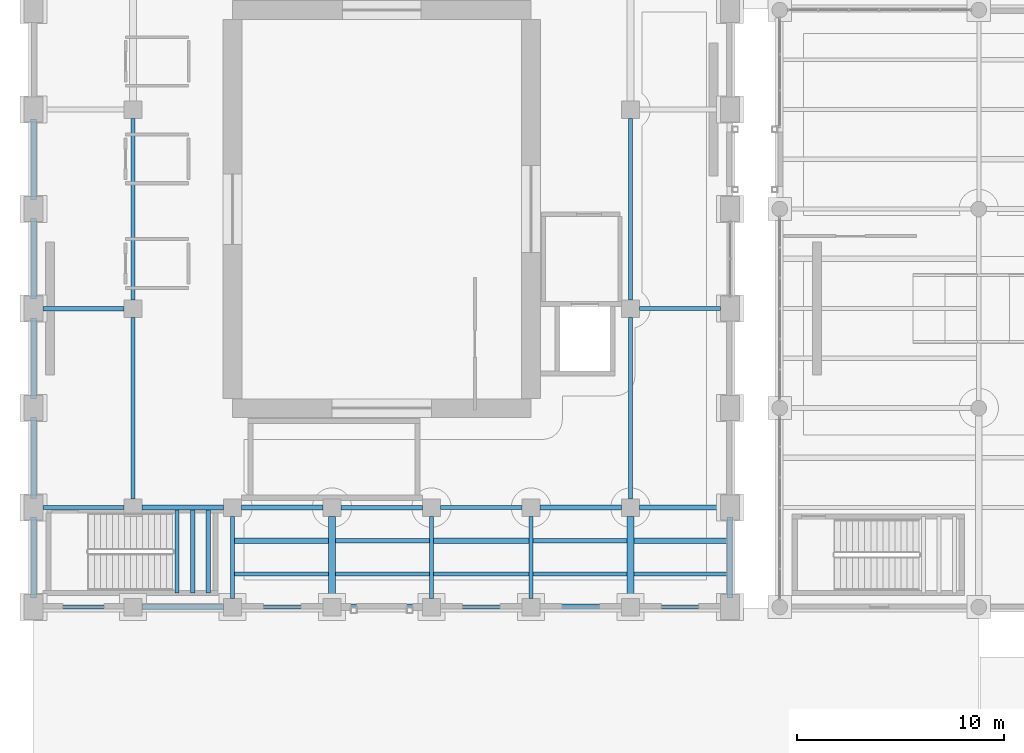
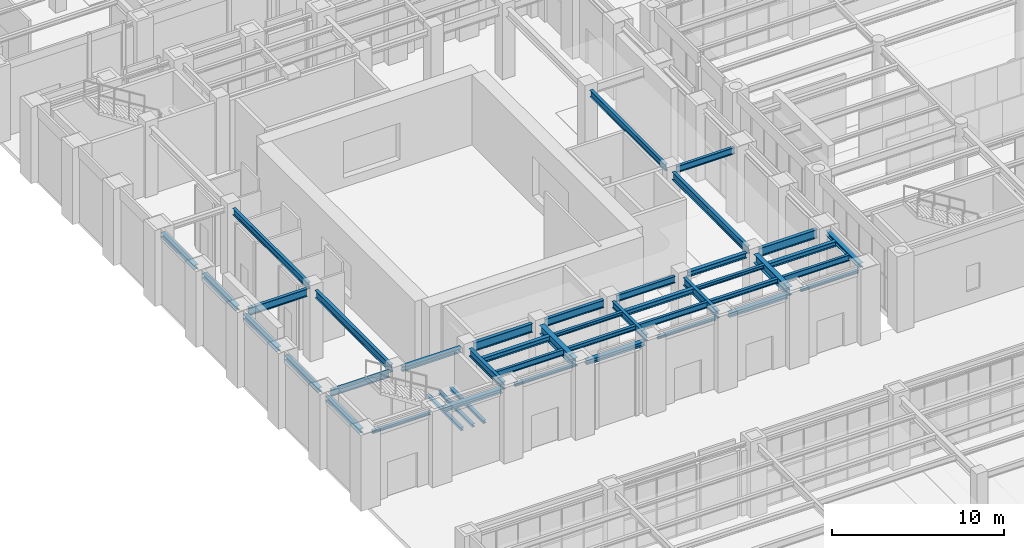
# One storey, part 40 of 164: 44 beams.
"""IFC4 building model written with IfcOpenShell, lengths in metres."""

from ifc_helpers import new_model, si_unit, direction, frame, origin, origin_2d, place, context, subcontext, project, spatial, i_section, extrude, material, material_profile, profile_set, type_object, element, save


model = new_model("IFC4")

# Units and contexts
model_context = context("Model", 3, precision=1e-05, world=origin(), true_north=direction((0.0, 1.0)))
body_context = subcontext(model_context, "Body", "Model", "MODEL_VIEW")
ifc_project = project(units=[si_unit("LENGTHUNIT", "METRE"), si_unit("AREAUNIT", "SQUARE_METRE"), si_unit("VOLUMEUNIT", "CUBIC_METRE"), si_unit("PLANEANGLEUNIT", "RADIAN"), si_unit("MASSUNIT", "GRAM", prefix="KILO")], contexts=[model_context])

# Site, building, storey
site_placement = place(None, origin())
site = spatial("IfcSite", under=ifc_project, at=site_placement, CompositionType="ELEMENT")
building_placement = place(site_placement, origin())
building = spatial("IfcBuilding", under=site, at=building_placement, Name="Mavantir Sound Aquarium", CompositionType="ELEMENT")
storey_placement = place(building_placement, origin())
storey = spatial("IfcBuildingStorey", under=building, at=storey_placement, Name="L00", CompositionType="ELEMENT", Elevation=0.0)

# Beams
ifc_material = material(Name="Structural Steel ASTM A992 Gr50", Category="steel")
ifc_material_profile_1 = material_profile(ifc_material, i_section(OverallWidth=0.202880859375, OverallDepth=0.202880859375, WebThickness=0.007080078125, FlangeThickness=0.010986328125, FilletRadius=0.010009765625, at=origin_2d()), Name="W200X46")
ifc_profile_set_1 = profile_set([ifc_material_profile_1], Name="Structural Steel ASTM A992 Gr50")
beam_type_1 = type_object("IfcBeamType", Name="BM-W200X46-E", PredefinedType="LINTEL", material=ifc_profile_set_1)
beam_1_placement = place(storey_placement, frame((0.449951171875, 40.800048828125, 4.89453125), z_axis=(1.0, 0.0, 0.0), x_axis=(0.0, 1.0, 0.0)))
element("IfcBeam", 1, at=beam_1_placement, inside=storey, type_object=beam_type_1, Name="L00 primary beam SL-20 804", PredefinedType="LINTEL", context=body_context, shape_type="SweptSolid", body=[
    extrude(i_section(OverallWidth=0.202880859375, OverallDepth=0.202880859375, WebThickness=0.007080078125, FlangeThickness=0.010986328125, FilletRadius=0.010009765625, at=origin_2d()), origin(), (0.0, 0.0, 1.0), 3.925048828125),
])
beam_2_placement = place(storey_placement, frame((10.02490234375, 40.800048828125, 4.89453125), z_axis=(1.0, 0.0, 0.0), x_axis=(0.0, 1.0, 0.0)))
element("IfcBeam", 2, at=beam_2_placement, inside=storey, type_object=beam_type_1, Name="L00 primary beam SL-20 806", PredefinedType="LINTEL", context=body_context, shape_type="SweptSolid", body=[
    extrude(i_section(OverallWidth=0.202880859375, OverallDepth=0.202880859375, WebThickness=0.007080078125, FlangeThickness=0.010986328125, FilletRadius=0.010009765625, at=origin_2d()), origin(), (0.0, 0.0, 1.0), 3.9501953125),
])
beam_3_placement = place(storey_placement, frame((19.625, 40.800048828125, 4.89453125), z_axis=(1.0, 0.0, 0.0), x_axis=(0.0, 1.0, 0.0)))
element("IfcBeam", 3, at=beam_3_placement, inside=storey, type_object=beam_type_1, Name="L00 primary beam SL-20 808", PredefinedType="LINTEL", context=body_context, shape_type="SweptSolid", body=[
    extrude(i_section(OverallWidth=0.202880859375, OverallDepth=0.202880859375, WebThickness=0.007080078125, FlangeThickness=0.010986328125, FilletRadius=0.010009765625, at=origin_2d()), origin(), (0.0, 0.0, 1.0), 3.949951171875),
])
beam_4_placement = place(storey_placement, frame((29.22509765625, 40.800048828125, 4.89453125), z_axis=(1.0, 0.0, 0.0), x_axis=(0.0, 1.0, 0.0)))
element("IfcBeam", 4, at=beam_4_placement, inside=storey, type_object=beam_type_1, Name="L00 primary beam SL-20 810", PredefinedType="LINTEL", context=body_context, shape_type="SweptSolid", body=[
    extrude(i_section(OverallWidth=0.202880859375, OverallDepth=0.202880859375, WebThickness=0.007080078125, FlangeThickness=0.010986328125, FilletRadius=0.010009765625, at=origin_2d()), origin(), (0.0, 0.0, 1.0), 3.9248046875),
])
ifc_material_profile_2 = material_profile(ifc_material, i_section(OverallWidth=0.202880859375, OverallDepth=0.202880859375, WebThickness=0.007080078125, FlangeThickness=0.010986328125, FilletRadius=0.010009765625, at=origin_2d()), Name="W200X46")
ifc_profile_set_2 = profile_set([ifc_material_profile_2], Name="Structural Steel ASTM A992 Gr50")
beam_type_2 = type_object("IfcBeamType", Name="BM-W200X46-I", PredefinedType="LINTEL", material=ifc_profile_set_2)
for number, where, z_axis, x_axis, name in (
    (5, (6.929931640625, 41.47509765625, 2.3955078125), (0.0, 1.0, 0.0), (-1.0, 0.0, 0.0), "Stair ST1 landing support beam 7"),
    (6, (7.679931640625, 41.47509765625, 2.3955078125), (0.0, 1.0, 0.0), (-1.0, 0.0, 0.0), "Stair ST1 landing support beam 8"),
    (7, (8.429931640625, 41.47509765625, 2.3955078125), (0.0, 1.0, 0.0), (-1.0, 0.0, 0.0), "Stair ST1 landing support beam 9"),
):
    element("IfcBeam", number, at=place(storey_placement, frame(where, z_axis=z_axis, x_axis=x_axis)), inside=storey, type_object=beam_type_2, Name=name, PredefinedType="LINTEL", context=body_context, shape_type="SweptSolid", body=[
        extrude(i_section(OverallWidth=0.202880859375, OverallDepth=0.202880859375, WebThickness=0.007080078125, FlangeThickness=0.010986328125, FilletRadius=0.010009765625, at=origin_2d()), origin(), (0.0, 0.0, 1.0), 4.0),
    ])
ifc_material_profile_3 = material_profile(ifc_material, i_section(OverallWidth=0.202880859375, OverallDepth=0.251953125, WebThickness=0.008056640625, FlangeThickness=0.013427734375, FilletRadius=0.011962890625, at=origin_2d()), Name="W250X58")
ifc_profile_set_3 = profile_set([ifc_material_profile_3], Name="Structural Steel ASTM A992 Gr50")
beam_type_3 = type_object("IfcBeamType", Name="BM-W250X58-I", PredefinedType="JOIST", material=ifc_profile_set_3)
beam_5_placement = place(storey_placement, frame((14.56201171875, 44.0, 4.8701171875), z_axis=(1.0, 0.0, 0.0), x_axis=(0.0, 1.0, 0.0)))
element("IfcBeam", 8, at=beam_5_placement, inside=storey, type_object=beam_type_3, Name="L00 secondary floor joist SJ-25 444", PredefinedType="JOIST", context=body_context, shape_type="SweptSolid", body=[
    extrude(i_section(OverallWidth=0.202880859375, OverallDepth=0.251953125, WebThickness=0.008056640625, FlangeThickness=0.013427734375, FilletRadius=0.011962890625, at=origin_2d()), origin(), (0.0, 0.0, 1.0), 4.541015625),
])
beam_6_placement = place(storey_placement, frame((24.10595703125, 44.0, 4.8701171875), z_axis=(1.0, 0.0, 0.0), x_axis=(0.0, 1.0, 0.0)))
element("IfcBeam", 9, at=beam_6_placement, inside=storey, type_object=beam_type_3, Name="L00 secondary floor joist SJ-25 448", PredefinedType="JOIST", context=body_context, shape_type="SweptSolid", body=[
    extrude(i_section(OverallWidth=0.202880859375, OverallDepth=0.251953125, WebThickness=0.008056640625, FlangeThickness=0.013427734375, FilletRadius=0.011962890625, at=origin_2d()), origin(), (0.0, 0.0, 1.0), 4.531982421875),
])
ifc_material_profile_4 = material_profile(ifc_material, i_section(OverallWidth=0.205078125, OverallDepth=0.31005859375, WebThickness=0.009521484375, FlangeThickness=0.016357421875, FilletRadius=0.012939453125, at=origin_2d()), Name="W310X74")
ifc_profile_set_4 = profile_set([ifc_material_profile_4], Name="Structural Steel ASTM A992 Gr50")
beam_type_4 = type_object("IfcBeamType", Name="BM-W310X74-I", PredefinedType="JOIST", material=ifc_profile_set_4)
beam_7_placement = place(storey_placement, frame((14.56201171875, 42.39990234375, 4.841064453125), z_axis=(1.0, 0.0, 0.0), x_axis=(0.0, 1.0, 0.0)))
element("IfcBeam", 10, at=beam_7_placement, inside=storey, type_object=beam_type_4, Name="L00 secondary floor joist SJ-31 443", PredefinedType="JOIST", context=body_context, shape_type="SweptSolid", body=[
    extrude(i_section(OverallWidth=0.205078125, OverallDepth=0.31005859375, WebThickness=0.009521484375, FlangeThickness=0.016357421875, FilletRadius=0.012939453125, at=origin_2d()), origin(), (0.0, 0.0, 1.0), 4.541015625),
])
beam_8_placement = place(storey_placement, frame((24.10595703125, 42.39990234375, 4.841064453125), z_axis=(1.0, 0.0, 0.0), x_axis=(0.0, 1.0, 0.0)))
element("IfcBeam", 11, at=beam_8_placement, inside=storey, type_object=beam_type_4, Name="L00 secondary floor joist SJ-31 447", PredefinedType="JOIST", context=body_context, shape_type="SweptSolid", body=[
    extrude(i_section(OverallWidth=0.205078125, OverallDepth=0.31005859375, WebThickness=0.009521484375, FlangeThickness=0.016357421875, FilletRadius=0.012939453125, at=origin_2d()), origin(), (0.0, 0.0, 1.0), 4.531982421875),
])
ifc_material_profile_5 = material_profile(ifc_material, i_section(OverallWidth=0.304931640625, OverallDepth=0.30810546875, WebThickness=0.010009765625, FlangeThickness=0.015380859375, FilletRadius=0.014892578125, at=origin_2d()), Name="W310X97")
ifc_profile_set_5 = profile_set([ifc_material_profile_5], Name="Structural Steel ASTM A992 Gr50")
beam_type_5 = type_object("IfcBeamType", Name="BM-W310X97-E", PredefinedType="SPANDREL", material=ifc_profile_set_5)
for number, where, z_axis, x_axis, name in (
    (12, (5.22509765625, 40.800048828125, 4.842041015625), (1.0, 0.0, 0.0), (0.0, 1.0, 0.0), "L00 primary beam SS-31A 805"),
    (13, (14.824951171875, 40.800048828125, 4.842041015625), (1.0, 0.0, 0.0), (0.0, 1.0, 0.0), "L00 primary beam SS-31A 807"),
    (14, (24.425048828125, 40.800048828125, 4.842041015625), (1.0, 0.0, 0.0), (0.0, 1.0, 0.0), "L00 primary beam SS-31A 809"),
):
    element("IfcBeam", number, at=place(storey_placement, frame(where, z_axis=z_axis, x_axis=x_axis)), inside=storey, type_object=beam_type_5, Name=name, PredefinedType="SPANDREL", context=body_context, shape_type="SweptSolid", body=[
        extrude(i_section(OverallWidth=0.304931640625, OverallDepth=0.30810546875, WebThickness=0.010009765625, FlangeThickness=0.015380859375, FilletRadius=0.014892578125, at=origin_2d()), origin(), (0.0, 0.0, 1.0), 3.949951171875),
    ])
for number, where, z_axis, x_axis, name in (
    (15, (0.0, 41.25, 4.842041015625), (0.0, 1.0, 0.0), (-1.0, 0.0, 0.0), "L00 primary girder SS-31A 834"),
    (16, (0.0, 46.050048828125, 4.842041015625), (0.0, 1.0, 0.0), (-1.0, 0.0, 0.0), "L00 primary girder SS-31A 835"),
    (17, (0.0, 50.85009765625, 4.842041015625), (0.0, 1.0, 0.0), (-1.0, 0.0, 0.0), "L00 primary girder SS-31A 836"),
):
    element("IfcBeam", number, at=place(storey_placement, frame(where, z_axis=z_axis, x_axis=x_axis)), inside=storey, type_object=beam_type_5, Name=name, PredefinedType="SPANDREL", context=body_context, shape_type="SweptSolid", body=[
        extrude(i_section(OverallWidth=0.304931640625, OverallDepth=0.30810546875, WebThickness=0.010009765625, FlangeThickness=0.015380859375, FilletRadius=0.014892578125, at=origin_2d()), origin(), (0.0, 0.0, 1.0), 3.89990234375),
    ])
for number, where, z_axis, x_axis, name in (
    (18, (0.0, 55.64990234375, 4.842041015625), (0.0, 1.0, 0.0), (-1.0, 0.0, 0.0), "L00 primary girder SS-31A 837"),
    (19, (0.0, 60.449951171875, 4.842041015625), (0.0, 1.0, 0.0), (-1.0, 0.0, 0.0), "L00 primary girder SS-31A 838"),
):
    element("IfcBeam", number, at=place(storey_placement, frame(where, z_axis=z_axis, x_axis=x_axis)), inside=storey, type_object=beam_type_5, Name=name, PredefinedType="SPANDREL", context=body_context, shape_type="SweptSolid", body=[
        extrude(i_section(OverallWidth=0.304931640625, OverallDepth=0.30810546875, WebThickness=0.010009765625, FlangeThickness=0.015380859375, FilletRadius=0.014892578125, at=origin_2d()), origin(), (0.0, 0.0, 1.0), 3.900146484375),
    ])
beam_9_placement = place(storey_placement, frame((33.60009765625, 41.25, 4.842041015625), z_axis=(0.0, 1.0, 0.0), x_axis=(-1.0, 0.0, 0.0)))
element("IfcBeam", 20, at=beam_9_placement, inside=storey, type_object=beam_type_5, Name="L00 primary girder SS-31A 858", PredefinedType="SPANDREL", context=body_context, shape_type="SweptSolid", body=[
    extrude(i_section(OverallWidth=0.304931640625, OverallDepth=0.30810546875, WebThickness=0.010009765625, FlangeThickness=0.015380859375, FilletRadius=0.014892578125, at=origin_2d()), origin(), (0.0, 0.0, 1.0), 3.89990234375),
])
ifc_material_profile_6 = material_profile(ifc_material, i_section(OverallWidth=0.257080078125, OverallDepth=0.363037109375, WebThickness=0.012939453125, FlangeThickness=0.021728515625, FilletRadius=0.014892578125, at=origin_2d()), Name="W360X122")
ifc_profile_set_6 = profile_set([ifc_material_profile_6], Name="Structural Steel ASTM A992 Gr50")
beam_type_6 = type_object("IfcBeamType", Name="BM-W360X122-I", PredefinedType="BEAM", material=ifc_profile_set_6)
for number, where, z_axis, x_axis, name in (
    (21, (5.22509765625, 45.60009765625, 4.814453125), (1.0, 0.0, 0.0), (0.0, 1.0, 0.0), "L00 primary beam SB-36A 812"),
    (22, (24.425048828125, 45.60009765625, 4.814453125), (1.0, 0.0, 0.0), (0.0, 1.0, 0.0), "L00 primary beam SB-36A 816"),
):
    element("IfcBeam", number, at=place(storey_placement, frame(where, z_axis=z_axis, x_axis=x_axis)), inside=storey, type_object=beam_type_6, Name=name, PredefinedType="BEAM", context=body_context, shape_type="SweptSolid", body=[
        extrude(i_section(OverallWidth=0.257080078125, OverallDepth=0.363037109375, WebThickness=0.012939453125, FlangeThickness=0.021728515625, FilletRadius=0.014892578125, at=origin_2d()), origin(), (0.0, 0.0, 1.0), 3.949951171875),
    ])
ifc_material_profile_7 = material_profile(ifc_material, i_section(OverallWidth=0.25390625, OverallDepth=0.35302734375, WebThickness=0.009521484375, FlangeThickness=0.016357421875, FilletRadius=0.014892578125, at=origin_2d()), Name="W360X91")
ifc_profile_set_7 = profile_set([ifc_material_profile_7], Name="Structural Steel ASTM A992 Gr50")
beam_type_7 = type_object("IfcBeamType", Name="BM-W360X91-I", PredefinedType="JOIST", material=ifc_profile_set_7)
beam_10_placement = place(storey_placement, frame((9.7060546875, 44.0, 4.819580078125), z_axis=(1.0, 0.0, 0.0), x_axis=(0.0, 1.0, 0.0)))
element("IfcBeam", 23, at=beam_10_placement, inside=storey, type_object=beam_type_7, Name="L00 secondary floor joist SJ-36 442", PredefinedType="JOIST", context=body_context, shape_type="SweptSolid", body=[
    extrude(i_section(OverallWidth=0.25390625, OverallDepth=0.35302734375, WebThickness=0.009521484375, FlangeThickness=0.016357421875, FilletRadius=0.014892578125, at=origin_2d()), origin(), (0.0, 0.0, 1.0), 4.531982421875),
])
beam_11_placement = place(storey_placement, frame((19.297119140625, 44.0, 4.819580078125), z_axis=(1.0, 0.0, 0.0), x_axis=(0.0, 1.0, 0.0)))
element("IfcBeam", 24, at=beam_11_placement, inside=storey, type_object=beam_type_7, Name="L00 secondary floor joist SJ-36 446", PredefinedType="JOIST", context=body_context, shape_type="SweptSolid", body=[
    extrude(i_section(OverallWidth=0.25390625, OverallDepth=0.35302734375, WebThickness=0.009521484375, FlangeThickness=0.016357421875, FilletRadius=0.014892578125, at=origin_2d()), origin(), (0.0, 0.0, 1.0), 4.596923828125),
])
beam_12_placement = place(storey_placement, frame((28.9619140625, 44.0, 4.819580078125), z_axis=(1.0, 0.0, 0.0), x_axis=(0.0, 1.0, 0.0)))
element("IfcBeam", 25, at=beam_12_placement, inside=storey, type_object=beam_type_7, Name="L00 secondary floor joist SJ-36 450", PredefinedType="JOIST", context=body_context, shape_type="SweptSolid", body=[
    extrude(i_section(OverallWidth=0.25390625, OverallDepth=0.35302734375, WebThickness=0.009521484375, FlangeThickness=0.016357421875, FilletRadius=0.014892578125, at=origin_2d()), origin(), (0.0, 0.0, 1.0), 4.485595703125),
])
ifc_material_profile_8 = material_profile(ifc_material, i_section(OverallWidth=0.180908203125, OverallDepth=0.4169921875, WebThickness=0.010986328125, FlangeThickness=0.018310546875, FilletRadius=0.014892578125, at=origin_2d()), Name="W410X85")
ifc_profile_set_8 = profile_set([ifc_material_profile_8], Name="Structural Steel ASTM A992 Gr50")
beam_type_8 = type_object("IfcBeamType", Name="BM-W410X85-I", PredefinedType="JOIST", material=ifc_profile_set_8)
beam_13_placement = place(storey_placement, frame((9.7060546875, 42.39990234375, 4.78759765625), z_axis=(1.0, 0.0, 0.0), x_axis=(0.0, 1.0, 0.0)))
element("IfcBeam", 26, at=beam_13_placement, inside=storey, type_object=beam_type_8, Name="L00 secondary floor joist SJ-41 441", PredefinedType="JOIST", context=body_context, shape_type="SweptSolid", body=[
    extrude(i_section(OverallWidth=0.180908203125, OverallDepth=0.4169921875, WebThickness=0.010986328125, FlangeThickness=0.018310546875, FilletRadius=0.014892578125, at=origin_2d()), origin(), (0.0, 0.0, 1.0), 4.531982421875),
])
beam_14_placement = place(storey_placement, frame((19.297119140625, 42.39990234375, 4.78759765625), z_axis=(1.0, 0.0, 0.0), x_axis=(0.0, 1.0, 0.0)))
element("IfcBeam", 27, at=beam_14_placement, inside=storey, type_object=beam_type_8, Name="L00 secondary floor joist SJ-41 445", PredefinedType="JOIST", context=body_context, shape_type="SweptSolid", body=[
    extrude(i_section(OverallWidth=0.180908203125, OverallDepth=0.4169921875, WebThickness=0.010986328125, FlangeThickness=0.018310546875, FilletRadius=0.014892578125, at=origin_2d()), origin(), (0.0, 0.0, 1.0), 4.596923828125),
])
beam_15_placement = place(storey_placement, frame((28.9619140625, 42.39990234375, 4.78759765625), z_axis=(1.0, 0.0, 0.0), x_axis=(0.0, 1.0, 0.0)))
element("IfcBeam", 28, at=beam_15_placement, inside=storey, type_object=beam_type_8, Name="L00 secondary floor joist SJ-41 449", PredefinedType="JOIST", context=body_context, shape_type="SweptSolid", body=[
    extrude(i_section(OverallWidth=0.180908203125, OverallDepth=0.4169921875, WebThickness=0.010986328125, FlangeThickness=0.018310546875, FilletRadius=0.014892578125, at=origin_2d()), origin(), (0.0, 0.0, 1.0), 4.485595703125),
])
ifc_material_profile_9 = material_profile(ifc_material, i_section(OverallWidth=0.194091796875, OverallDepth=0.468994140625, WebThickness=0.0126953125, FlangeThickness=0.0205078125, FilletRadius=0.01611328125, at=origin_2d()), Name="W460X106")
ifc_profile_set_9 = profile_set([ifc_material_profile_9], Name="Structural Steel ASTM A992 Gr50")
beam_type_9 = type_object("IfcBeamType", Name="BM-W460X106-I", PredefinedType="BEAM", material=ifc_profile_set_9)
beam_16_placement = place(storey_placement, frame((0.449951171875, 45.60009765625, 4.761474609375), z_axis=(1.0, 0.0, 0.0), x_axis=(0.0, 1.0, 0.0)))
element("IfcBeam", 29, at=beam_16_placement, inside=storey, type_object=beam_type_9, Name="L00 primary beam SB-46 811", PredefinedType="BEAM", context=body_context, shape_type="SweptSolid", body=[
    extrude(i_section(OverallWidth=0.194091796875, OverallDepth=0.468994140625, WebThickness=0.0126953125, FlangeThickness=0.0205078125, FilletRadius=0.01611328125, at=origin_2d()), origin(), (0.0, 0.0, 1.0), 3.925048828125),
])
beam_17_placement = place(storey_placement, frame((19.625, 45.60009765625, 4.761474609375), z_axis=(1.0, 0.0, 0.0), x_axis=(0.0, 1.0, 0.0)))
element("IfcBeam", 30, at=beam_17_placement, inside=storey, type_object=beam_type_9, Name="L00 primary beam SB-46 815", PredefinedType="BEAM", context=body_context, shape_type="SweptSolid", body=[
    extrude(i_section(OverallWidth=0.194091796875, OverallDepth=0.468994140625, WebThickness=0.0126953125, FlangeThickness=0.0205078125, FilletRadius=0.01611328125, at=origin_2d()), origin(), (0.0, 0.0, 1.0), 3.949951171875),
])
beam_18_placement = place(storey_placement, frame((29.22509765625, 55.199951171875, 4.761474609375), z_axis=(1.0, 0.0, 0.0), x_axis=(0.0, 1.0, 0.0)))
element("IfcBeam", 31, at=beam_18_placement, inside=storey, type_object=beam_type_9, Name="L00 primary beam SB-46 819", PredefinedType="BEAM", context=body_context, shape_type="SweptSolid", body=[
    extrude(i_section(OverallWidth=0.194091796875, OverallDepth=0.468994140625, WebThickness=0.0126953125, FlangeThickness=0.0205078125, FilletRadius=0.01611328125, at=origin_2d()), origin(), (0.0, 0.0, 1.0), 3.9248046875),
])
beam_19_placement = place(storey_placement, frame((4.800048828125, 55.625, 4.761474609375), z_axis=(0.0, 1.0, 0.0), x_axis=(-1.0, 0.0, 0.0)))
element("IfcBeam", 32, at=beam_19_placement, inside=storey, type_object=beam_type_9, Name="L00 primary girder SB-46 843", PredefinedType="BEAM", context=body_context, shape_type="SweptSolid", body=[
    extrude(i_section(OverallWidth=0.194091796875, OverallDepth=0.468994140625, WebThickness=0.0126953125, FlangeThickness=0.0205078125, FilletRadius=0.01611328125, at=origin_2d()), origin(), (0.0, 0.0, 1.0), 8.75),
])
beam_20_placement = place(storey_placement, frame((19.199951171875, 41.22509765625, 4.761474609375), z_axis=(0.0, 1.0, 0.0), x_axis=(-1.0, 0.0, 0.0)))
element("IfcBeam", 33, at=beam_20_placement, inside=storey, type_object=beam_type_9, Name="L00 primary girder SB-46 849", PredefinedType="BEAM", context=body_context, shape_type="SweptSolid", body=[
    extrude(i_section(OverallWidth=0.194091796875, OverallDepth=0.468994140625, WebThickness=0.0126953125, FlangeThickness=0.0205078125, FilletRadius=0.01611328125, at=origin_2d()), origin(), (0.0, 0.0, 1.0), 3.949951171875),
])
beam_21_placement = place(storey_placement, frame((28.800048828125, 55.625, 4.761474609375), z_axis=(0.0, 1.0, 0.0), x_axis=(-1.0, 0.0, 0.0)))
element("IfcBeam", 34, at=beam_21_placement, inside=storey, type_object=beam_type_9, Name="L00 primary girder SB-46 855", PredefinedType="BEAM", context=body_context, shape_type="SweptSolid", body=[
    extrude(i_section(OverallWidth=0.194091796875, OverallDepth=0.468994140625, WebThickness=0.0126953125, FlangeThickness=0.0205078125, FilletRadius=0.01611328125, at=origin_2d()), origin(), (0.0, 0.0, 1.0), 8.75),
])
ifc_material_profile_10 = material_profile(ifc_material, i_section(OverallWidth=0.2119140625, OverallDepth=0.5439453125, WebThickness=0.01318359375, FlangeThickness=0.021240234375, FilletRadius=0.01806640625, at=origin_2d()), Name="W530X123")
ifc_profile_set_10 = profile_set([ifc_material_profile_10], Name="Structural Steel ASTM A992 Gr50")
beam_type_10 = type_object("IfcBeamType", Name="BM-W530X123-I", PredefinedType="BEAM", material=ifc_profile_set_10)
beam_22_placement = place(storey_placement, frame((14.824951171875, 45.60009765625, 4.72412109375), z_axis=(1.0, 0.0, 0.0), x_axis=(0.0, 1.0, 0.0)))
element("IfcBeam", 35, at=beam_22_placement, inside=storey, type_object=beam_type_10, Name="L00 primary beam SB-53 814", PredefinedType="BEAM", context=body_context, shape_type="SweptSolid", body=[
    extrude(i_section(OverallWidth=0.2119140625, OverallDepth=0.5439453125, WebThickness=0.01318359375, FlangeThickness=0.021240234375, FilletRadius=0.01806640625, at=origin_2d()), origin(), (0.0, 0.0, 1.0), 3.949951171875),
])
beam_23_placement = place(storey_placement, frame((0.449951171875, 55.199951171875, 4.72412109375), z_axis=(1.0, 0.0, 0.0), x_axis=(0.0, 1.0, 0.0)))
element("IfcBeam", 36, at=beam_23_placement, inside=storey, type_object=beam_type_10, Name="L00 primary beam SB-53 818", PredefinedType="BEAM", context=body_context, shape_type="SweptSolid", body=[
    extrude(i_section(OverallWidth=0.2119140625, OverallDepth=0.5439453125, WebThickness=0.01318359375, FlangeThickness=0.021240234375, FilletRadius=0.01806640625, at=origin_2d()), origin(), (0.0, 0.0, 1.0), 3.925048828125),
])
beam_24_placement = place(storey_placement, frame((4.800048828125, 46.02490234375, 4.72412109375), z_axis=(0.0, 1.0, 0.0), x_axis=(-1.0, 0.0, 0.0)))
element("IfcBeam", 37, at=beam_24_placement, inside=storey, type_object=beam_type_10, Name="L00 primary girder SB-53 842", PredefinedType="BEAM", context=body_context, shape_type="SweptSolid", body=[
    extrude(i_section(OverallWidth=0.2119140625, OverallDepth=0.5439453125, WebThickness=0.01318359375, FlangeThickness=0.021240234375, FilletRadius=0.01806640625, at=origin_2d()), origin(), (0.0, 0.0, 1.0), 8.75),
])
for number, where, z_axis, x_axis, name in (
    (38, (9.60009765625, 41.22509765625, 4.72412109375), (0.0, 1.0, 0.0), (-1.0, 0.0, 0.0), "L00 primary girder SB-53 845"),
    (39, (24.0, 41.22509765625, 4.72412109375), (0.0, 1.0, 0.0), (-1.0, 0.0, 0.0), "L00 primary girder SB-53 851"),
):
    element("IfcBeam", number, at=place(storey_placement, frame(where, z_axis=z_axis, x_axis=x_axis)), inside=storey, type_object=beam_type_10, Name=name, PredefinedType="BEAM", context=body_context, shape_type="SweptSolid", body=[
        extrude(i_section(OverallWidth=0.2119140625, OverallDepth=0.5439453125, WebThickness=0.01318359375, FlangeThickness=0.021240234375, FilletRadius=0.01806640625, at=origin_2d()), origin(), (0.0, 0.0, 1.0), 3.949951171875),
    ])
beam_25_placement = place(storey_placement, frame((28.800048828125, 46.02490234375, 4.72412109375), z_axis=(0.0, 1.0, 0.0), x_axis=(-1.0, 0.0, 0.0)))
element("IfcBeam", 40, at=beam_25_placement, inside=storey, type_object=beam_type_10, Name="L00 primary girder SB-53 854", PredefinedType="BEAM", context=body_context, shape_type="SweptSolid", body=[
    extrude(i_section(OverallWidth=0.2119140625, OverallDepth=0.5439453125, WebThickness=0.01318359375, FlangeThickness=0.021240234375, FilletRadius=0.01806640625, at=origin_2d()), origin(), (0.0, 0.0, 1.0), 8.75),
])
ifc_material_profile_11 = material_profile(ifc_material, i_section(OverallWidth=0.22900390625, OverallDepth=0.612060546875, WebThickness=0.011962890625, FlangeThickness=0.01953125, FilletRadius=0.01904296875, at=origin_2d()), Name="W610X125")
ifc_profile_set_11 = profile_set([ifc_material_profile_11], Name="Structural Steel ASTM A992 Gr50")
beam_type_11 = type_object("IfcBeamType", Name="BM-W610X125-I", PredefinedType="BEAM", material=ifc_profile_set_11)
beam_26_placement = place(storey_placement, frame((10.02490234375, 45.60009765625, 4.68994140625), z_axis=(1.0, 0.0, 0.0), x_axis=(0.0, 1.0, 0.0)))
element("IfcBeam", 41, at=beam_26_placement, inside=storey, type_object=beam_type_11, Name="L00 primary beam SB-61B 813", PredefinedType="BEAM", context=body_context, shape_type="SweptSolid", body=[
    extrude(i_section(OverallWidth=0.22900390625, OverallDepth=0.612060546875, WebThickness=0.011962890625, FlangeThickness=0.01953125, FilletRadius=0.01904296875, at=origin_2d()), origin(), (0.0, 0.0, 1.0), 3.9501953125),
])
beam_27_placement = place(storey_placement, frame((29.22509765625, 45.60009765625, 4.68994140625), z_axis=(1.0, 0.0, 0.0), x_axis=(0.0, 1.0, 0.0)))
element("IfcBeam", 42, at=beam_27_placement, inside=storey, type_object=beam_type_11, Name="L00 primary beam SB-61B 817", PredefinedType="BEAM", context=body_context, shape_type="SweptSolid", body=[
    extrude(i_section(OverallWidth=0.22900390625, OverallDepth=0.612060546875, WebThickness=0.011962890625, FlangeThickness=0.01953125, FilletRadius=0.01904296875, at=origin_2d()), origin(), (0.0, 0.0, 1.0), 3.9248046875),
])
ifc_material_profile_12 = material_profile(ifc_material, i_section(OverallWidth=0.323974609375, OverallDepth=0.611083984375, WebThickness=0.0126953125, FlangeThickness=0.01904296875, FilletRadius=0.01904296875, at=origin_2d()), Name="W610X155")
ifc_profile_set_12 = profile_set([ifc_material_profile_12], Name="Structural Steel ASTM A992 Gr50")
beam_type_12 = type_object("IfcBeamType", Name="BM-W610X155-I", PredefinedType="BEAM", material=ifc_profile_set_12)
for number, where, z_axis, x_axis, name in (
    (43, (14.39990234375, 41.22509765625, 4.6904296875), (0.0, 1.0, 0.0), (-1.0, 0.0, 0.0), "L00 primary girder SB-61A 847"),
    (44, (28.800048828125, 41.22509765625, 4.6904296875), (0.0, 1.0, 0.0), (-1.0, 0.0, 0.0), "L00 primary girder SB-61A 853"),
):
    element("IfcBeam", number, at=place(storey_placement, frame(where, z_axis=z_axis, x_axis=x_axis)), inside=storey, type_object=beam_type_12, Name=name, PredefinedType="BEAM", context=body_context, shape_type="SweptSolid", body=[
        extrude(i_section(OverallWidth=0.323974609375, OverallDepth=0.611083984375, WebThickness=0.0126953125, FlangeThickness=0.01904296875, FilletRadius=0.01904296875, at=origin_2d()), origin(), (0.0, 0.0, 1.0), 3.949951171875),
    ])

save(model, "model.ifc")
